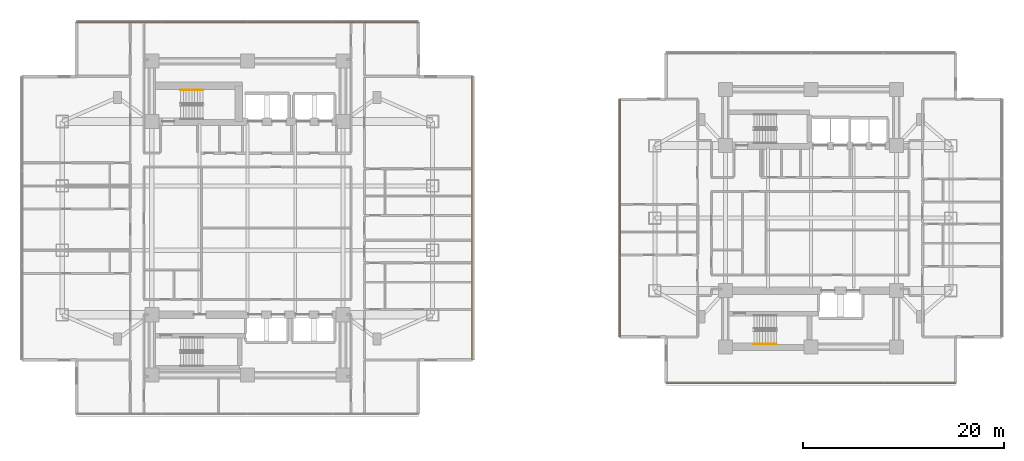
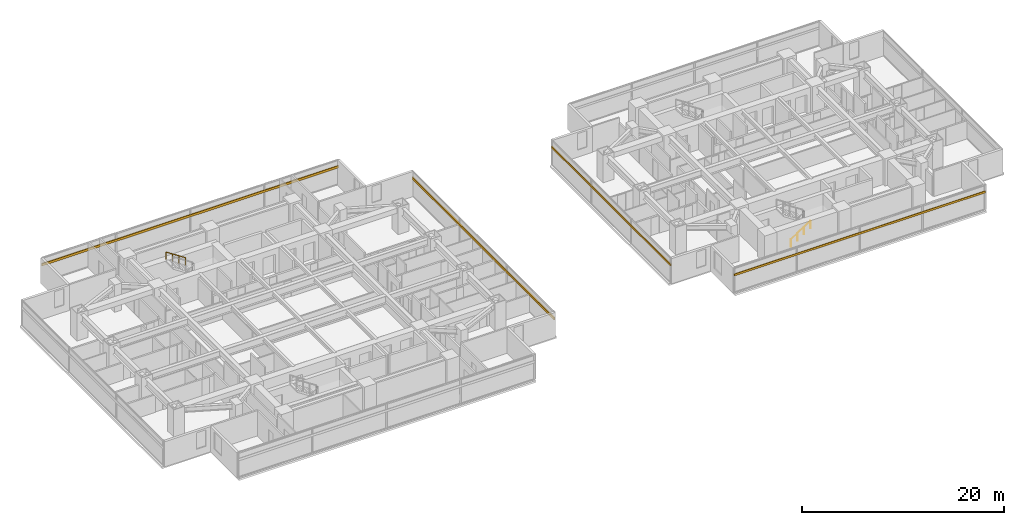
# One storey, part 24 of 26: 4 shading devices, 2 railings.
"""IFC4 building model written with IfcOpenShell, lengths in metres."""

from ifc_helpers import new_model, si_unit, direction, frame, origin, origin_2d, place, context, subcontext, project, spatial, rectangle, circle, extrude, material, material_profile, profile_set, type_object, element, save


model = new_model("IFC4")

# Units and contexts
model_context = context("Model", 3, precision=1e-05, world=origin(), true_north=direction((0.0, 1.0)))
body_context = subcontext(model_context, "Body", "Model", "MODEL_VIEW")
ifc_project = project(units=[si_unit("LENGTHUNIT", "METRE"), si_unit("AREAUNIT", "SQUARE_METRE"), si_unit("VOLUMEUNIT", "CUBIC_METRE"), si_unit("PLANEANGLEUNIT", "RADIAN"), si_unit("MASSUNIT", "GRAM", prefix="KILO")], contexts=[model_context])

# Site, building, storey
site_placement = place(None, origin())
site = spatial("IfcSite", under=ifc_project, at=site_placement, CompositionType="ELEMENT")
building_placement = place(site_placement, origin())
building = spatial("IfcBuilding", under=site, at=building_placement, Name="Mirazonda Arch Towers", CompositionType="ELEMENT")
storey_placement = place(building_placement, frame((0.0, 0.0, 38.89990234375)))
storey = spatial("IfcBuildingStorey", under=building, at=storey_placement, Name="L10", CompositionType="ELEMENT", Elevation=38.89990234375)

# Shading devices
ifc_material_1 = material(Name="Kiln-Fired Architectural Terracotta", Category="masonry")
ifc_material_profile_1 = material_profile(ifc_material_1, rectangle(XDim=0.1201171875, YDim=0.239990234375, at=origin_2d()), Name="TERRA-BAG-120x240")
ifc_profile_set_1 = profile_set([ifc_material_profile_1], Name="Kiln-Fired Architectural Terracotta")
shading_device_type_1 = type_object("IfcShadingDeviceType", Name="BAGUETTE-1", PredefinedType="USERDEFINED", material=ifc_profile_set_1)
shading_device_1_placement = place(storey_placement, frame((90.889892578125, 11.603515625, 2.18896484375), z_axis=(-1.0, 0.0, 0.0), x_axis=(0.0, -1.0, 0.0)))
element("IfcShadingDevice", 1, at=shading_device_1_placement, inside=storey, type_object=shading_device_type_1, Name="L10 Glazed Terracotta Sun-Screen Baguette CW-L10-T2-S", ObjectType="BAGUETTE", PredefinedType="USERDEFINED", context=body_context, shape_type="SweptSolid", body=[
    extrude(rectangle(XDim=0.1201171875, YDim=0.239990234375, at=origin_2d()), origin(), (0.0, 0.0, 1.0), 28.77978515625),
])
shading_device_2_placement = place(storey_placement, frame((57.530029296875, 39.81640625, 2.18896484375), z_axis=(0.0, -1.0, 0.0), x_axis=(1.0, 0.0, 0.0)))
element("IfcShadingDevice", 2, at=shading_device_2_placement, inside=storey, type_object=shading_device_type_1, Name="L10 Glazed Terracotta Sun-Screen Baguette CW-L10-T2-W", ObjectType="BAGUETTE", PredefinedType="USERDEFINED", context=body_context, shape_type="SweptSolid", body=[
    extrude(rectangle(XDim=0.1201171875, YDim=0.239990234375, at=origin_2d()), origin(), (0.0, 0.0, 1.0), 23.6328125),
])
ifc_material_profile_2 = material_profile(ifc_material_1, rectangle(XDim=0.139892578125, YDim=0.280029296875, at=origin_2d()), Name="TERRA-BAG-140x280")
ifc_profile_set_2 = profile_set([ifc_material_profile_2], Name="Kiln-Fired Architectural Terracotta")
shading_device_type_2 = type_object("IfcShadingDeviceType", Name="BAGUETTE-3", PredefinedType="USERDEFINED", material=ifc_profile_set_2)
shading_device_3_placement = place(storey_placement, frame((42.8798828125, 13.909912109375, 2.18896484375), z_axis=(0.0, 1.0, 0.0), x_axis=(-1.0, 0.0, 0.0)))
element("IfcShadingDevice", 3, at=shading_device_3_placement, inside=storey, type_object=shading_device_type_2, Name="L10 Glazed Terracotta Sun-Screen Baguette CW-L10-T1-E", ObjectType="BAGUETTE", PredefinedType="USERDEFINED", context=body_context, shape_type="SweptSolid", body=[
    extrude(rectangle(XDim=0.139892578125, YDim=0.280029296875, at=origin_2d()), origin(), (0.0, 0.0, 1.0), 28.18017578125),
])
shading_device_4_placement = place(storey_placement, frame((3.5, 47.469970703125, 2.18896484375), z_axis=(1.0, 0.0, 0.0), x_axis=(0.0, 1.0, 0.0)))
element("IfcShadingDevice", 4, at=shading_device_4_placement, inside=storey, type_object=shading_device_type_2, Name="L10 Glazed Terracotta Sun-Screen Baguette CW-L10-T1-N", ObjectType="BAGUETTE", PredefinedType="USERDEFINED", context=body_context, shape_type="SweptSolid", body=[
    extrude(rectangle(XDim=0.139892578125, YDim=0.280029296875, at=origin_2d()), origin(), (0.0, 0.0, 1.0), 34.0),
])

# Railings
ifc_material_2 = material(Name="Architectural Brushed Steel S355", Category="steel")
railing_type = type_object("IfcRailingType", Name="HANDRAIL-915", PredefinedType="HANDRAIL", material=ifc_material_2)
railing_1_placement = place(storey_placement, frame((16.090087890625, 40.7099609375, 1.83349609375)))
element("IfcRailing", 5, at=railing_1_placement, inside=storey, type_object=railing_type, Name="L10 ST-T1N stair handrail 2", PredefinedType="HANDRAIL", context=body_context, shape_type="SweptSolid", body=[
    extrude(circle(Radius=0.02392578125, at=origin_2d()), frame((0.0, 0.0, 0.8759765625), z_axis=(-0.836636935527, 0.0, 0.547757827979), x_axis=(0.0, -1.0, 0.0)), (0.0, 0.0, 1.0), 2.677490234375),
    extrude(circle(Radius=0.02099609375, at=origin_2d()), origin(), (0.0, 0.0, 1.0), 0.851806640625),
    extrude(circle(Radius=0.02099609375, at=origin_2d()), frame((-0.74658203125, 0.0, 0.48876953125)), (0.0, 0.0, 1.0), 0.851806640625),
    extrude(circle(Radius=0.02099609375, at=origin_2d()), frame((-1.493408203125, 0.0, 0.977783203125)), (0.0, 0.0, 1.0), 0.851806640625),
    extrude(circle(Radius=0.02099609375, at=origin_2d()), frame((-2.239990234375, 0.0, 1.466552734375)), (0.0, 0.0, 1.0), 0.851806640625),
])
railing_2_placement = place(storey_placement, frame((70.85009765625, 15.469970703125, 0.183349609375)))
element("IfcRailing", 6, at=railing_2_placement, inside=storey, type_object=railing_type, Name="L10 ST-T2S stair handrail 1", PredefinedType="HANDRAIL", context=body_context, shape_type="SweptSolid", body=[
    extrude(circle(Radius=0.02392578125, at=origin_2d()), frame((0.0, 0.0, 0.8759765625), z_axis=(0.836595146698, 0.0, 0.547821650285), x_axis=(0.0, 1.0, 0.0)), (0.0, 0.0, 1.0), 2.677490234375),
    extrude(circle(Radius=0.02099609375, at=origin_2d()), origin(), (0.0, 0.0, 1.0), 0.851806640625),
    extrude(circle(Radius=0.02099609375, at=origin_2d()), frame((0.74658203125, 0.0, 0.489013671875)), (0.0, 0.0, 1.0), 0.851806640625),
    extrude(circle(Radius=0.02099609375, at=origin_2d()), frame((1.493408203125, 0.0, 0.977783203125)), (0.0, 0.0, 1.0), 0.851806640625),
    extrude(circle(Radius=0.02099609375, at=origin_2d()), frame((2.239990234375, 0.0, 1.466796875)), (0.0, 0.0, 1.0), 0.851806640625),
])

save(model, "model.ifc")
